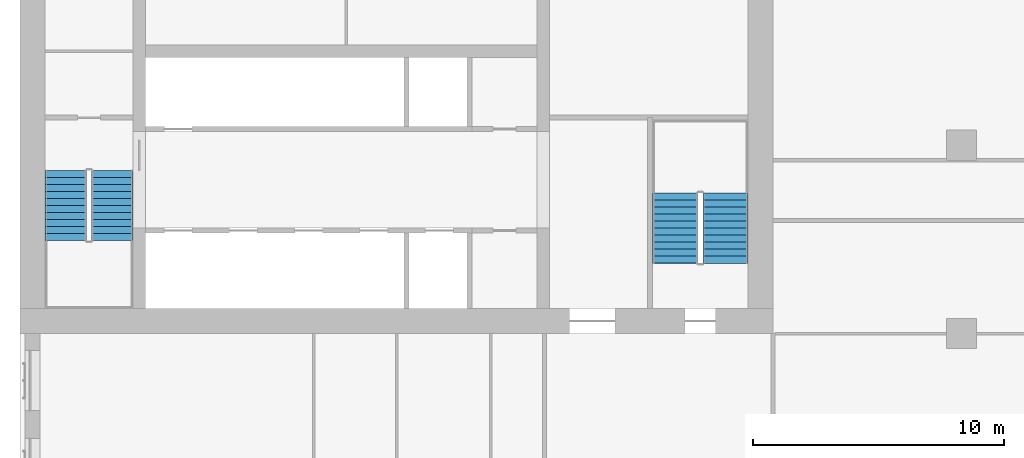
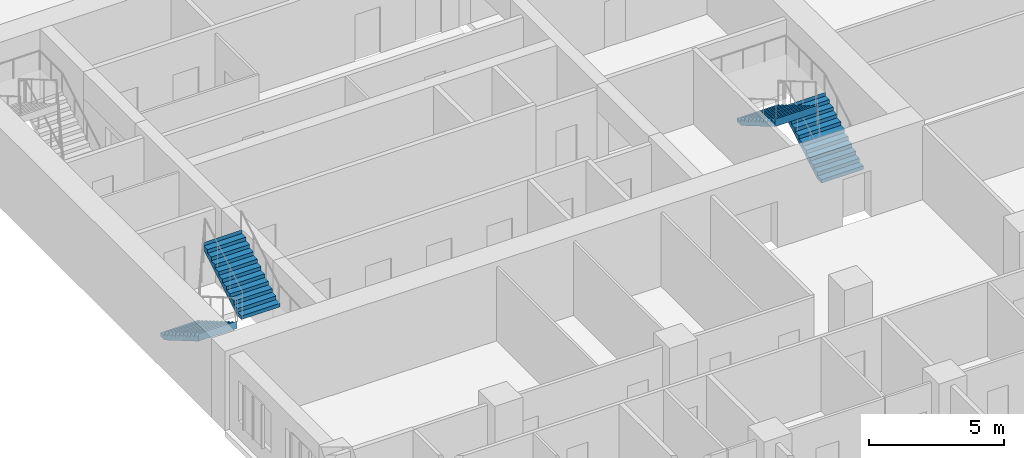
# One storey, part 12 of 14: 4 stair flights, 2 elements without a shape of their own.
"""IFC4 building model written with IfcOpenShell, lengths in metres."""

from ifc_helpers import new_model, si_unit, direction, frame, origin, place, context, subcontext, project, spatial, polyline, outline, extrude, material, type_object, element, aggregate, save


model = new_model("IFC4")

# Units and contexts
model_context = context("Model", 3, precision=1e-05, world=origin(), true_north=direction((0.0, 1.0)))
body_context = subcontext(model_context, "Body", "Model", "MODEL_VIEW")
ifc_project = project(units=[si_unit("LENGTHUNIT", "METRE"), si_unit("AREAUNIT", "SQUARE_METRE"), si_unit("VOLUMEUNIT", "CUBIC_METRE"), si_unit("PLANEANGLEUNIT", "RADIAN"), si_unit("MASSUNIT", "GRAM", prefix="KILO")], contexts=[model_context])

# Site, building, storey
site_placement = place(None, origin())
site = spatial("IfcSite", under=ifc_project, at=site_placement, CompositionType="ELEMENT")
building_placement = place(site_placement, origin())
building = spatial("IfcBuilding", under=site, at=building_placement, Name="Tamorin Gate", CompositionType="ELEMENT")
storey_placement = place(building_placement, frame((0.0, 0.0, 59.199951171875)))
storey = spatial("IfcBuildingStorey", under=building, at=storey_placement, Name="L13", CompositionType="ELEMENT", Elevation=59.199951171875)

# Stair, stair flights
ifc_material = material(Name="Concrete C40/50", Category="concrete")
stair_type = type_object("IfcStairType", Name="Exit stair", PredefinedType="HALF_TURN_STAIR", material=ifc_material)
stair_1_placement = place(storey_placement, origin())
stair_1 = element("IfcStair", 1, at=stair_1_placement, inside=storey, type_object=stair_type, Name="L13 stair ST1", PredefinedType="HALF_TURN_STAIR")
stair_flight_type = type_object("IfcStairFlightType", Name="Exit stair flight", PredefinedType="STRAIGHT", material=ifc_material)
stair_flight_1_placement = place(storey_placement, frame((31.824951171875, 66.5, 0.0), z_axis=(0.0, 0.0, 1.0), x_axis=(0.0, -1.0, 0.0)))
stair_flight_1 = element("IfcStairFlight", 2, at=stair_flight_1_placement, type_object=stair_flight_type, Name="ST1 flight 1", NumberOfRisers=11, NumberOfTreads=10, PredefinedType="STRAIGHT", RiserHeight=0.163636364, TreadLength=0.28, context=body_context, shape_type="SweptSolid", body=[
    extrude(outline(polyline([(-0.00048828125, 0.0), (-0.00048828125, 0.001708984375), (-0.00048828125, 0.003173828125), (-0.00048828125, 0.0048828125), (-0.00048828125, 0.006591796875), (-0.00048828125, 0.008056640625), (-0.00048828125, 0.009765625), (-0.00048828125, 0.01123046875), (-0.00048828125, 0.012939453125), (-0.00048828125, 0.0146484375), (-0.00048828125, 0.01611328125), (-0.00048828125, 0.017822265625), (-0.00048828125, 0.01953125), (-0.00048828125, 0.02099609375), (-0.00048828125, 0.022705078125), (-0.00048828125, 0.0244140625), (-0.00048828125, 0.02587890625), (-0.00048828125, 0.027587890625), (-0.00048828125, 0.029052734375), (-0.00048828125, 0.03076171875), (-0.00048828125, 0.032470703125), (-0.00048828125, 0.033935546875), (-0.00048828125, 0.03564453125), (-0.00048828125, 0.037353515625), (-0.00048828125, 0.038818359375), (-0.00048828125, 0.04052734375), (-0.00048828125, 0.042236328125), (-0.00048828125, 0.043701171875), (-0.00048828125, 0.04541015625), (-0.00048828125, 0.046875), (-0.00048828125, 0.048583984375), (-0.00048828125, 0.05029296875), (-0.00048828125, 0.0517578125), (-0.00048828125, 0.053466796875), (-0.00048828125, 0.05517578125), (-0.00048828125, 0.056640625), (-0.00048828125, 0.058349609375), (-0.00048828125, 0.06005859375), (-0.00048828125, 0.0615234375), (-0.00048828125, 0.063232421875), (-0.00048828125, 0.064697265625), (-0.00048828125, 0.06640625), (-0.00048828125, 0.068115234375), (-0.00048828125, 0.069580078125), (-0.00048828125, 0.0712890625), (-0.00048828125, 0.072998046875), (-0.00048828125, 0.074462890625), (-0.00048828125, 0.076171875), (-0.00048828125, 0.077880859375), (-0.00048828125, 0.079345703125), (-0.00048828125, 0.0810546875), (-0.00048828125, 0.08251953125), (-0.00048828125, 0.084228515625), (-0.00048828125, 0.0859375), (-0.00048828125, 0.08740234375), (-0.00048828125, 0.089111328125), (-0.00048828125, 0.0908203125), (-0.00048828125, 0.09228515625), (-0.00048828125, 0.093994140625), (-0.00048828125, 0.095703125), (-0.00048828125, 0.09716796875), (-0.00048828125, 0.098876953125), (-0.00048828125, 0.100341796875), (-0.00048828125, 0.10205078125), (-0.00048828125, 0.103759765625), (-0.00048828125, 0.105224609375), (-0.00048828125, 0.10693359375), (-0.00048828125, 0.108642578125), (-0.00048828125, 0.110107421875), (-0.00048828125, 0.11181640625), (-0.00048828125, 0.113525390625), (-0.00048828125, 0.114990234375), (-0.00048828125, 0.11669921875), (-0.00048828125, 0.1181640625), (-0.00048828125, 0.119873046875), (-0.00048828125, 0.12158203125), (-0.00048828125, 0.123046875), (-0.00048828125, 0.124755859375), (-0.00048828125, 0.12646484375), (-0.00048828125, 0.1279296875), (-0.00048828125, 0.129638671875), (-0.00048828125, 0.13134765625), (-0.00048828125, 0.1328125), (-0.00048828125, 0.134521484375), (-0.00048828125, 0.135986328125), (-0.00048828125, 0.1376953125), (-0.00048828125, 0.139404296875), (-0.00048828125, 0.140869140625), (-0.00048828125, 0.142578125), (-0.00048828125, 0.144287109375), (-0.00048828125, 0.145751953125), (-0.00048828125, 0.1474609375), (-0.00048828125, 0.149169921875), (-0.00048828125, 0.150634765625), (-0.00048828125, 0.15234375), (-0.00048828125, 0.15380859375), (-0.00048828125, 0.155517578125), (-0.00048828125, 0.1572265625), (-0.00048828125, 0.15869140625), (-0.00048828125, 0.160400390625), (-0.00048828125, 0.162109375), (-0.00048828125, 0.16357421875), (0.280029296875, 0.16357421875), (0.280029296875, 0.327392578125), (0.56005859375, 0.327392578125), (0.56005859375, 0.490966796875), (0.840087890625, 0.490966796875), (0.840087890625, 0.654541015625), (1.1201171875, 0.654541015625), (1.1201171875, 0.818115234375), (1.39990234375, 0.818115234375), (1.39990234375, 0.98193359375), (1.679931640625, 0.98193359375), (1.679931640625, 1.1455078125), (1.9599609375, 1.1455078125), (1.9599609375, 1.30908203125), (2.239990234375, 1.30908203125), (2.239990234375, 1.47265625), (2.52001953125, 1.47265625), (2.52001953125, 1.636474609375), (2.800048828125, 1.636474609375), (2.800048828125, 1.800048828125), (2.800537109375, 1.800048828125), (2.800537109375, 1.796630859375), (2.800537109375, 1.793212890625), (2.800537109375, 1.7900390625), (2.800537109375, 1.78662109375), (2.800537109375, 1.783203125), (2.800537109375, 1.780029296875), (2.800537109375, 1.776611328125), (2.800537109375, 1.773193359375), (2.800537109375, 1.77001953125), (2.800537109375, 1.7666015625), (2.800537109375, 1.76318359375), (2.800537109375, 1.760009765625), (2.800537109375, 1.756591796875), (2.800537109375, 1.753173828125), (2.800537109375, 1.75), (2.800537109375, 1.74658203125), (2.800537109375, 1.7431640625), (2.800537109375, 1.739990234375), (2.800537109375, 1.736572265625), (2.800537109375, 1.733154296875), (2.800537109375, 1.72998046875), (2.800537109375, 1.7265625), (2.800537109375, 1.72314453125), (2.800537109375, 1.719970703125), (2.800537109375, 1.716552734375), (2.800537109375, 1.713134765625), (2.800537109375, 1.7099609375), (2.800537109375, 1.70654296875), (2.800537109375, 1.703125), (2.800537109375, 1.69970703125), (2.800537109375, 1.696533203125), (2.800537109375, 1.693115234375), (2.800537109375, 1.689697265625), (2.800537109375, 1.6865234375), (2.800537109375, 1.68310546875), (2.800537109375, 1.6796875), (2.800537109375, 1.676513671875), (2.800537109375, 1.673095703125), (2.800537109375, 1.669677734375), (2.800537109375, 1.66650390625), (2.800537109375, 1.6630859375), (2.800537109375, 1.65966796875), (2.800537109375, 1.656494140625), (2.800537109375, 1.653076171875), (2.800537109375, 1.649658203125), (2.800537109375, 1.646484375), (2.800537109375, 1.64306640625), (2.800537109375, 1.6396484375), (2.800537109375, 1.636474609375), (2.800537109375, 1.633056640625), (2.800537109375, 1.629638671875), (2.800537109375, 1.62646484375), (2.800537109375, 1.623046875), (2.800537109375, 1.61962890625), (2.800537109375, 1.616455078125), (2.800537109375, 1.613037109375), (2.800537109375, 1.609619140625), (2.800537109375, 1.6064453125), (2.800537109375, 1.60302734375), (2.800537109375, 1.599609375), (2.800537109375, 1.59619140625), (2.800537109375, 1.593017578125), (2.800537109375, 1.589599609375), (2.800537109375, 1.586181640625), (2.800537109375, 1.5830078125), (2.800537109375, 1.57958984375), (2.800537109375, 1.576171875), (2.800537109375, 1.572998046875), (2.800537109375, 1.569580078125), (2.800537109375, 1.566162109375), (2.800537109375, 1.56298828125), (2.800537109375, 1.5595703125), (2.800537109375, 1.55615234375), (2.800537109375, 1.552978515625), (2.800537109375, 1.549560546875), (2.800537109375, 1.546142578125), (2.800537109375, 1.54296875), (2.800537109375, 1.53955078125), (2.800537109375, 1.5361328125), (2.800537109375, 1.532958984375), (2.800537109375, 1.529541015625), (2.800537109375, 1.526123046875), (2.800537109375, 1.52294921875), (2.800537109375, 1.51953125), (2.800537109375, 1.51611328125), (2.800537109375, 1.512939453125), (2.800537109375, 1.509521484375), (2.800537109375, 1.506103515625), (2.800537109375, 1.5029296875), (2.800537109375, 1.49951171875), (2.800537109375, 1.49609375), (2.800537109375, 1.49267578125), (2.800537109375, 1.489501953125), (2.800537109375, 1.486083984375), (2.800537109375, 1.482666015625), (2.800537109375, 1.4794921875), (2.800537109375, 1.47607421875), (2.800537109375, 1.47265625), (2.800537109375, 1.469482421875), (2.800537109375, 1.466064453125), (2.800537109375, 1.462646484375), (2.800048828125, 1.462646484375), (0.297119140625, 0.0), (-0.00048828125, 0.0)])), frame((0.0, 0.824951171875, 0.0), z_axis=(0.0, -1.0, 0.0), x_axis=(1.0, 0.0, 0.0)), (0.0, 0.0, 1.0), 1.64990234375),
])
stair_flight_2_placement = place(storey_placement, frame((33.675048828125, 63.699951171875, 1.800048828125), z_axis=(0.0, 0.0, 1.0), x_axis=(0.0, 1.0, 0.0)))
stair_flight_2 = element("IfcStairFlight", 3, at=stair_flight_2_placement, type_object=stair_flight_type, Name="ST1 flight 2", NumberOfRisers=11, NumberOfTreads=10, PredefinedType="STRAIGHT", RiserHeight=0.163636364, TreadLength=0.28, context=body_context, shape_type="SweptSolid", body=[
    extrude(outline(polyline([(-0.00048828125, 0.0), (-0.00048828125, 0.001708984375), (-0.00048828125, 0.003173828125), (-0.00048828125, 0.0048828125), (-0.00048828125, 0.006591796875), (-0.00048828125, 0.008056640625), (-0.00048828125, 0.009765625), (-0.00048828125, 0.01123046875), (-0.00048828125, 0.012939453125), (-0.00048828125, 0.0146484375), (-0.00048828125, 0.01611328125), (-0.00048828125, 0.017822265625), (-0.00048828125, 0.01953125), (-0.00048828125, 0.02099609375), (-0.00048828125, 0.022705078125), (-0.00048828125, 0.0244140625), (-0.00048828125, 0.02587890625), (-0.00048828125, 0.027587890625), (-0.00048828125, 0.029052734375), (-0.00048828125, 0.03076171875), (-0.00048828125, 0.032470703125), (-0.00048828125, 0.033935546875), (-0.00048828125, 0.03564453125), (-0.00048828125, 0.037353515625), (-0.00048828125, 0.038818359375), (-0.00048828125, 0.04052734375), (-0.00048828125, 0.042236328125), (-0.00048828125, 0.043701171875), (-0.00048828125, 0.04541015625), (-0.00048828125, 0.046875), (-0.00048828125, 0.048583984375), (-0.00048828125, 0.05029296875), (-0.00048828125, 0.0517578125), (-0.00048828125, 0.053466796875), (-0.00048828125, 0.05517578125), (-0.00048828125, 0.056640625), (-0.00048828125, 0.058349609375), (-0.00048828125, 0.06005859375), (-0.00048828125, 0.0615234375), (-0.00048828125, 0.063232421875), (-0.00048828125, 0.064697265625), (-0.00048828125, 0.06640625), (-0.00048828125, 0.068115234375), (-0.00048828125, 0.069580078125), (-0.00048828125, 0.0712890625), (-0.00048828125, 0.072998046875), (-0.00048828125, 0.074462890625), (-0.00048828125, 0.076171875), (-0.00048828125, 0.077880859375), (-0.00048828125, 0.079345703125), (-0.00048828125, 0.0810546875), (-0.00048828125, 0.08251953125), (-0.00048828125, 0.084228515625), (-0.00048828125, 0.0859375), (-0.00048828125, 0.08740234375), (-0.00048828125, 0.089111328125), (-0.00048828125, 0.0908203125), (-0.00048828125, 0.09228515625), (-0.00048828125, 0.093994140625), (-0.00048828125, 0.095703125), (-0.00048828125, 0.09716796875), (-0.00048828125, 0.098876953125), (-0.00048828125, 0.100341796875), (-0.00048828125, 0.10205078125), (-0.00048828125, 0.103759765625), (-0.00048828125, 0.105224609375), (-0.00048828125, 0.10693359375), (-0.00048828125, 0.108642578125), (-0.00048828125, 0.110107421875), (-0.00048828125, 0.11181640625), (-0.00048828125, 0.113525390625), (-0.00048828125, 0.114990234375), (-0.00048828125, 0.11669921875), (-0.00048828125, 0.1181640625), (-0.00048828125, 0.119873046875), (-0.00048828125, 0.12158203125), (-0.00048828125, 0.123046875), (-0.00048828125, 0.124755859375), (-0.00048828125, 0.12646484375), (-0.00048828125, 0.1279296875), (-0.00048828125, 0.129638671875), (-0.00048828125, 0.13134765625), (-0.00048828125, 0.1328125), (-0.00048828125, 0.134521484375), (-0.00048828125, 0.135986328125), (-0.00048828125, 0.1376953125), (-0.00048828125, 0.139404296875), (-0.00048828125, 0.140869140625), (-0.00048828125, 0.142578125), (-0.00048828125, 0.144287109375), (-0.00048828125, 0.145751953125), (-0.00048828125, 0.1474609375), (-0.00048828125, 0.149169921875), (-0.00048828125, 0.150634765625), (-0.00048828125, 0.15234375), (-0.00048828125, 0.15380859375), (-0.00048828125, 0.155517578125), (-0.00048828125, 0.1572265625), (-0.00048828125, 0.15869140625), (-0.00048828125, 0.160400390625), (-0.00048828125, 0.162109375), (-0.00048828125, 0.16357421875), (0.280029296875, 0.16357421875), (0.280029296875, 0.327392578125), (0.56005859375, 0.327392578125), (0.56005859375, 0.490966796875), (0.840087890625, 0.490966796875), (0.840087890625, 0.654541015625), (1.1201171875, 0.654541015625), (1.1201171875, 0.818115234375), (1.39990234375, 0.818115234375), (1.39990234375, 0.98193359375), (1.679931640625, 0.98193359375), (1.679931640625, 1.1455078125), (1.9599609375, 1.1455078125), (1.9599609375, 1.30908203125), (2.239990234375, 1.30908203125), (2.239990234375, 1.47265625), (2.52001953125, 1.47265625), (2.52001953125, 1.636474609375), (2.800048828125, 1.636474609375), (2.800048828125, 1.800048828125), (2.800537109375, 1.800048828125), (2.800537109375, 1.796630859375), (2.800537109375, 1.793212890625), (2.800537109375, 1.7900390625), (2.800537109375, 1.78662109375), (2.800537109375, 1.783203125), (2.800537109375, 1.780029296875), (2.800537109375, 1.776611328125), (2.800537109375, 1.773193359375), (2.800537109375, 1.77001953125), (2.800537109375, 1.7666015625), (2.800537109375, 1.76318359375), (2.800537109375, 1.760009765625), (2.800537109375, 1.756591796875), (2.800537109375, 1.753173828125), (2.800537109375, 1.75), (2.800537109375, 1.74658203125), (2.800537109375, 1.7431640625), (2.800537109375, 1.739990234375), (2.800537109375, 1.736572265625), (2.800537109375, 1.733154296875), (2.800537109375, 1.72998046875), (2.800537109375, 1.7265625), (2.800537109375, 1.72314453125), (2.800537109375, 1.719970703125), (2.800537109375, 1.716552734375), (2.800537109375, 1.713134765625), (2.800537109375, 1.7099609375), (2.800537109375, 1.70654296875), (2.800537109375, 1.703125), (2.800537109375, 1.69970703125), (2.800537109375, 1.696533203125), (2.800537109375, 1.693115234375), (2.800537109375, 1.689697265625), (2.800537109375, 1.6865234375), (2.800537109375, 1.68310546875), (2.800537109375, 1.6796875), (2.800537109375, 1.676513671875), (2.800537109375, 1.673095703125), (2.800537109375, 1.669677734375), (2.800537109375, 1.66650390625), (2.800537109375, 1.6630859375), (2.800537109375, 1.65966796875), (2.800537109375, 1.656494140625), (2.800537109375, 1.653076171875), (2.800537109375, 1.649658203125), (2.800537109375, 1.646484375), (2.800537109375, 1.64306640625), (2.800537109375, 1.6396484375), (2.800537109375, 1.636474609375), (2.800537109375, 1.633056640625), (2.800537109375, 1.629638671875), (2.800537109375, 1.62646484375), (2.800537109375, 1.623046875), (2.800537109375, 1.61962890625), (2.800537109375, 1.616455078125), (2.800537109375, 1.613037109375), (2.800537109375, 1.609619140625), (2.800537109375, 1.6064453125), (2.800537109375, 1.60302734375), (2.800537109375, 1.599609375), (2.800537109375, 1.59619140625), (2.800537109375, 1.593017578125), (2.800537109375, 1.589599609375), (2.800537109375, 1.586181640625), (2.800537109375, 1.5830078125), (2.800537109375, 1.57958984375), (2.800537109375, 1.576171875), (2.800537109375, 1.572998046875), (2.800537109375, 1.569580078125), (2.800537109375, 1.566162109375), (2.800537109375, 1.56298828125), (2.800537109375, 1.5595703125), (2.800537109375, 1.55615234375), (2.800537109375, 1.552978515625), (2.800537109375, 1.549560546875), (2.800537109375, 1.546142578125), (2.800537109375, 1.54296875), (2.800537109375, 1.53955078125), (2.800537109375, 1.5361328125), (2.800537109375, 1.532958984375), (2.800537109375, 1.529541015625), (2.800537109375, 1.526123046875), (2.800537109375, 1.52294921875), (2.800537109375, 1.51953125), (2.800537109375, 1.51611328125), (2.800537109375, 1.512939453125), (2.800537109375, 1.509521484375), (2.800537109375, 1.506103515625), (2.800537109375, 1.5029296875), (2.800537109375, 1.49951171875), (2.800537109375, 1.49609375), (2.800537109375, 1.49267578125), (2.800537109375, 1.489501953125), (2.800537109375, 1.486083984375), (2.800537109375, 1.482666015625), (2.800537109375, 1.4794921875), (2.800537109375, 1.47607421875), (2.800537109375, 1.47265625), (2.800537109375, 1.469482421875), (2.800537109375, 1.466064453125), (2.800537109375, 1.462646484375), (2.800048828125, 1.462646484375), (0.297119140625, 0.0), (-0.00048828125, 0.0)])), frame((0.0, 0.824951171875, 0.0), z_axis=(0.0, -1.0, 0.0), x_axis=(1.0, 0.0, 0.0)), (0.0, 0.0, 1.0), 1.64990234375),
])
aggregate(stair_1, [stair_flight_1, stair_flight_2])

stair_2_placement = place(storey_placement, origin())
stair_2 = element("IfcStair", 4, at=stair_2_placement, inside=storey, type_object=stair_type, Name="L13 stair ST3", PredefinedType="HALF_TURN_STAIR")
stair_flight_3_placement = place(storey_placement, frame((58.10009765625, 62.800048828125, 0.0), z_axis=(0.0, 0.0, 1.0), x_axis=(0.0, 1.0, 0.0)))
stair_flight_3 = element("IfcStairFlight", 5, at=stair_flight_3_placement, type_object=stair_flight_type, Name="ST3 flight 1", NumberOfRisers=11, NumberOfTreads=10, PredefinedType="STRAIGHT", RiserHeight=0.163636364, TreadLength=0.28, context=body_context, shape_type="SweptSolid", body=[
    extrude(outline(polyline([(-0.00048828125, 0.0), (-0.00048828125, 0.001708984375), (-0.00048828125, 0.003173828125), (-0.00048828125, 0.0048828125), (-0.00048828125, 0.006591796875), (-0.00048828125, 0.008056640625), (-0.00048828125, 0.009765625), (-0.00048828125, 0.01123046875), (-0.00048828125, 0.012939453125), (-0.00048828125, 0.0146484375), (-0.00048828125, 0.01611328125), (-0.00048828125, 0.017822265625), (-0.00048828125, 0.01953125), (-0.00048828125, 0.02099609375), (-0.00048828125, 0.022705078125), (-0.00048828125, 0.0244140625), (-0.00048828125, 0.02587890625), (-0.00048828125, 0.027587890625), (-0.00048828125, 0.029052734375), (-0.00048828125, 0.03076171875), (-0.00048828125, 0.032470703125), (-0.00048828125, 0.033935546875), (-0.00048828125, 0.03564453125), (-0.00048828125, 0.037353515625), (-0.00048828125, 0.038818359375), (-0.00048828125, 0.04052734375), (-0.00048828125, 0.042236328125), (-0.00048828125, 0.043701171875), (-0.00048828125, 0.04541015625), (-0.00048828125, 0.046875), (-0.00048828125, 0.048583984375), (-0.00048828125, 0.05029296875), (-0.00048828125, 0.0517578125), (-0.00048828125, 0.053466796875), (-0.00048828125, 0.05517578125), (-0.00048828125, 0.056640625), (-0.00048828125, 0.058349609375), (-0.00048828125, 0.06005859375), (-0.00048828125, 0.0615234375), (-0.00048828125, 0.063232421875), (-0.00048828125, 0.064697265625), (-0.00048828125, 0.06640625), (-0.00048828125, 0.068115234375), (-0.00048828125, 0.069580078125), (-0.00048828125, 0.0712890625), (-0.00048828125, 0.072998046875), (-0.00048828125, 0.074462890625), (-0.00048828125, 0.076171875), (-0.00048828125, 0.077880859375), (-0.00048828125, 0.079345703125), (-0.00048828125, 0.0810546875), (-0.00048828125, 0.08251953125), (-0.00048828125, 0.084228515625), (-0.00048828125, 0.0859375), (-0.00048828125, 0.08740234375), (-0.00048828125, 0.089111328125), (-0.00048828125, 0.0908203125), (-0.00048828125, 0.09228515625), (-0.00048828125, 0.093994140625), (-0.00048828125, 0.095703125), (-0.00048828125, 0.09716796875), (-0.00048828125, 0.098876953125), (-0.00048828125, 0.100341796875), (-0.00048828125, 0.10205078125), (-0.00048828125, 0.103759765625), (-0.00048828125, 0.105224609375), (-0.00048828125, 0.10693359375), (-0.00048828125, 0.108642578125), (-0.00048828125, 0.110107421875), (-0.00048828125, 0.11181640625), (-0.00048828125, 0.113525390625), (-0.00048828125, 0.114990234375), (-0.00048828125, 0.11669921875), (-0.00048828125, 0.1181640625), (-0.00048828125, 0.119873046875), (-0.00048828125, 0.12158203125), (-0.00048828125, 0.123046875), (-0.00048828125, 0.124755859375), (-0.00048828125, 0.12646484375), (-0.00048828125, 0.1279296875), (-0.00048828125, 0.129638671875), (-0.00048828125, 0.13134765625), (-0.00048828125, 0.1328125), (-0.00048828125, 0.134521484375), (-0.00048828125, 0.135986328125), (-0.00048828125, 0.1376953125), (-0.00048828125, 0.139404296875), (-0.00048828125, 0.140869140625), (-0.00048828125, 0.142578125), (-0.00048828125, 0.144287109375), (-0.00048828125, 0.145751953125), (-0.00048828125, 0.1474609375), (-0.00048828125, 0.149169921875), (-0.00048828125, 0.150634765625), (-0.00048828125, 0.15234375), (-0.00048828125, 0.15380859375), (-0.00048828125, 0.155517578125), (-0.00048828125, 0.1572265625), (-0.00048828125, 0.15869140625), (-0.00048828125, 0.160400390625), (-0.00048828125, 0.162109375), (-0.00048828125, 0.16357421875), (0.280029296875, 0.16357421875), (0.280029296875, 0.327392578125), (0.56005859375, 0.327392578125), (0.56005859375, 0.490966796875), (0.840087890625, 0.490966796875), (0.840087890625, 0.654541015625), (1.1201171875, 0.654541015625), (1.1201171875, 0.818115234375), (1.39990234375, 0.818115234375), (1.39990234375, 0.98193359375), (1.679931640625, 0.98193359375), (1.679931640625, 1.1455078125), (1.9599609375, 1.1455078125), (1.9599609375, 1.30908203125), (2.239990234375, 1.30908203125), (2.239990234375, 1.47265625), (2.52001953125, 1.47265625), (2.52001953125, 1.636474609375), (2.800048828125, 1.636474609375), (2.800048828125, 1.800048828125), (2.800537109375, 1.800048828125), (2.800537109375, 1.796630859375), (2.800537109375, 1.793212890625), (2.800537109375, 1.7900390625), (2.800537109375, 1.78662109375), (2.800537109375, 1.783203125), (2.800537109375, 1.780029296875), (2.800537109375, 1.776611328125), (2.800537109375, 1.773193359375), (2.800537109375, 1.77001953125), (2.800537109375, 1.7666015625), (2.800537109375, 1.76318359375), (2.800537109375, 1.760009765625), (2.800537109375, 1.756591796875), (2.800537109375, 1.753173828125), (2.800537109375, 1.75), (2.800537109375, 1.74658203125), (2.800537109375, 1.7431640625), (2.800537109375, 1.739990234375), (2.800537109375, 1.736572265625), (2.800537109375, 1.733154296875), (2.800537109375, 1.72998046875), (2.800537109375, 1.7265625), (2.800537109375, 1.72314453125), (2.800537109375, 1.719970703125), (2.800537109375, 1.716552734375), (2.800537109375, 1.713134765625), (2.800537109375, 1.7099609375), (2.800537109375, 1.70654296875), (2.800537109375, 1.703125), (2.800537109375, 1.69970703125), (2.800537109375, 1.696533203125), (2.800537109375, 1.693115234375), (2.800537109375, 1.689697265625), (2.800537109375, 1.6865234375), (2.800537109375, 1.68310546875), (2.800537109375, 1.6796875), (2.800537109375, 1.676513671875), (2.800537109375, 1.673095703125), (2.800537109375, 1.669677734375), (2.800537109375, 1.66650390625), (2.800537109375, 1.6630859375), (2.800537109375, 1.65966796875), (2.800537109375, 1.656494140625), (2.800537109375, 1.653076171875), (2.800537109375, 1.649658203125), (2.800537109375, 1.646484375), (2.800537109375, 1.64306640625), (2.800537109375, 1.6396484375), (2.800537109375, 1.636474609375), (2.800537109375, 1.633056640625), (2.800537109375, 1.629638671875), (2.800537109375, 1.62646484375), (2.800537109375, 1.623046875), (2.800537109375, 1.61962890625), (2.800537109375, 1.616455078125), (2.800537109375, 1.613037109375), (2.800537109375, 1.609619140625), (2.800537109375, 1.6064453125), (2.800537109375, 1.60302734375), (2.800537109375, 1.599609375), (2.800537109375, 1.59619140625), (2.800537109375, 1.593017578125), (2.800537109375, 1.589599609375), (2.800537109375, 1.586181640625), (2.800537109375, 1.5830078125), (2.800537109375, 1.57958984375), (2.800537109375, 1.576171875), (2.800537109375, 1.572998046875), (2.800537109375, 1.569580078125), (2.800537109375, 1.566162109375), (2.800537109375, 1.56298828125), (2.800537109375, 1.5595703125), (2.800537109375, 1.55615234375), (2.800537109375, 1.552978515625), (2.800537109375, 1.549560546875), (2.800537109375, 1.546142578125), (2.800537109375, 1.54296875), (2.800537109375, 1.53955078125), (2.800537109375, 1.5361328125), (2.800537109375, 1.532958984375), (2.800537109375, 1.529541015625), (2.800537109375, 1.526123046875), (2.800537109375, 1.52294921875), (2.800537109375, 1.51953125), (2.800537109375, 1.51611328125), (2.800537109375, 1.512939453125), (2.800537109375, 1.509521484375), (2.800537109375, 1.506103515625), (2.800537109375, 1.5029296875), (2.800537109375, 1.49951171875), (2.800537109375, 1.49609375), (2.800537109375, 1.49267578125), (2.800537109375, 1.489501953125), (2.800537109375, 1.486083984375), (2.800537109375, 1.482666015625), (2.800537109375, 1.4794921875), (2.800537109375, 1.47607421875), (2.800537109375, 1.47265625), (2.800537109375, 1.469482421875), (2.800537109375, 1.466064453125), (2.800537109375, 1.462646484375), (2.800048828125, 1.462646484375), (0.297119140625, 0.0), (-0.00048828125, 0.0)])), frame((0.0, 0.89990234375, 0.0), z_axis=(0.0, -1.0, 0.0), x_axis=(1.0, 0.0, 0.0)), (0.0, 0.0, 1.0), 1.800048828125),
])
stair_flight_4_placement = place(storey_placement, frame((56.10009765625, 65.60009765625, 1.800048828125), z_axis=(0.0, 0.0, 1.0), x_axis=(0.0, -1.0, 0.0)))
stair_flight_4 = element("IfcStairFlight", 6, at=stair_flight_4_placement, type_object=stair_flight_type, Name="ST3 flight 2", NumberOfRisers=11, NumberOfTreads=10, PredefinedType="STRAIGHT", RiserHeight=0.163636364, TreadLength=0.28, context=body_context, shape_type="SweptSolid", body=[
    extrude(outline(polyline([(-0.00048828125, 0.0), (-0.00048828125, 0.001708984375), (-0.00048828125, 0.003173828125), (-0.00048828125, 0.0048828125), (-0.00048828125, 0.006591796875), (-0.00048828125, 0.008056640625), (-0.00048828125, 0.009765625), (-0.00048828125, 0.01123046875), (-0.00048828125, 0.012939453125), (-0.00048828125, 0.0146484375), (-0.00048828125, 0.01611328125), (-0.00048828125, 0.017822265625), (-0.00048828125, 0.01953125), (-0.00048828125, 0.02099609375), (-0.00048828125, 0.022705078125), (-0.00048828125, 0.0244140625), (-0.00048828125, 0.02587890625), (-0.00048828125, 0.027587890625), (-0.00048828125, 0.029052734375), (-0.00048828125, 0.03076171875), (-0.00048828125, 0.032470703125), (-0.00048828125, 0.033935546875), (-0.00048828125, 0.03564453125), (-0.00048828125, 0.037353515625), (-0.00048828125, 0.038818359375), (-0.00048828125, 0.04052734375), (-0.00048828125, 0.042236328125), (-0.00048828125, 0.043701171875), (-0.00048828125, 0.04541015625), (-0.00048828125, 0.046875), (-0.00048828125, 0.048583984375), (-0.00048828125, 0.05029296875), (-0.00048828125, 0.0517578125), (-0.00048828125, 0.053466796875), (-0.00048828125, 0.05517578125), (-0.00048828125, 0.056640625), (-0.00048828125, 0.058349609375), (-0.00048828125, 0.06005859375), (-0.00048828125, 0.0615234375), (-0.00048828125, 0.063232421875), (-0.00048828125, 0.064697265625), (-0.00048828125, 0.06640625), (-0.00048828125, 0.068115234375), (-0.00048828125, 0.069580078125), (-0.00048828125, 0.0712890625), (-0.00048828125, 0.072998046875), (-0.00048828125, 0.074462890625), (-0.00048828125, 0.076171875), (-0.00048828125, 0.077880859375), (-0.00048828125, 0.079345703125), (-0.00048828125, 0.0810546875), (-0.00048828125, 0.08251953125), (-0.00048828125, 0.084228515625), (-0.00048828125, 0.0859375), (-0.00048828125, 0.08740234375), (-0.00048828125, 0.089111328125), (-0.00048828125, 0.0908203125), (-0.00048828125, 0.09228515625), (-0.00048828125, 0.093994140625), (-0.00048828125, 0.095703125), (-0.00048828125, 0.09716796875), (-0.00048828125, 0.098876953125), (-0.00048828125, 0.100341796875), (-0.00048828125, 0.10205078125), (-0.00048828125, 0.103759765625), (-0.00048828125, 0.105224609375), (-0.00048828125, 0.10693359375), (-0.00048828125, 0.108642578125), (-0.00048828125, 0.110107421875), (-0.00048828125, 0.11181640625), (-0.00048828125, 0.113525390625), (-0.00048828125, 0.114990234375), (-0.00048828125, 0.11669921875), (-0.00048828125, 0.1181640625), (-0.00048828125, 0.119873046875), (-0.00048828125, 0.12158203125), (-0.00048828125, 0.123046875), (-0.00048828125, 0.124755859375), (-0.00048828125, 0.12646484375), (-0.00048828125, 0.1279296875), (-0.00048828125, 0.129638671875), (-0.00048828125, 0.13134765625), (-0.00048828125, 0.1328125), (-0.00048828125, 0.134521484375), (-0.00048828125, 0.135986328125), (-0.00048828125, 0.1376953125), (-0.00048828125, 0.139404296875), (-0.00048828125, 0.140869140625), (-0.00048828125, 0.142578125), (-0.00048828125, 0.144287109375), (-0.00048828125, 0.145751953125), (-0.00048828125, 0.1474609375), (-0.00048828125, 0.149169921875), (-0.00048828125, 0.150634765625), (-0.00048828125, 0.15234375), (-0.00048828125, 0.15380859375), (-0.00048828125, 0.155517578125), (-0.00048828125, 0.1572265625), (-0.00048828125, 0.15869140625), (-0.00048828125, 0.160400390625), (-0.00048828125, 0.162109375), (-0.00048828125, 0.16357421875), (0.280029296875, 0.16357421875), (0.280029296875, 0.327392578125), (0.56005859375, 0.327392578125), (0.56005859375, 0.490966796875), (0.840087890625, 0.490966796875), (0.840087890625, 0.654541015625), (1.1201171875, 0.654541015625), (1.1201171875, 0.818115234375), (1.39990234375, 0.818115234375), (1.39990234375, 0.98193359375), (1.679931640625, 0.98193359375), (1.679931640625, 1.1455078125), (1.9599609375, 1.1455078125), (1.9599609375, 1.30908203125), (2.239990234375, 1.30908203125), (2.239990234375, 1.47265625), (2.52001953125, 1.47265625), (2.52001953125, 1.636474609375), (2.800048828125, 1.636474609375), (2.800048828125, 1.800048828125), (2.800537109375, 1.800048828125), (2.800537109375, 1.796630859375), (2.800537109375, 1.793212890625), (2.800537109375, 1.7900390625), (2.800537109375, 1.78662109375), (2.800537109375, 1.783203125), (2.800537109375, 1.780029296875), (2.800537109375, 1.776611328125), (2.800537109375, 1.773193359375), (2.800537109375, 1.77001953125), (2.800537109375, 1.7666015625), (2.800537109375, 1.76318359375), (2.800537109375, 1.760009765625), (2.800537109375, 1.756591796875), (2.800537109375, 1.753173828125), (2.800537109375, 1.75), (2.800537109375, 1.74658203125), (2.800537109375, 1.7431640625), (2.800537109375, 1.739990234375), (2.800537109375, 1.736572265625), (2.800537109375, 1.733154296875), (2.800537109375, 1.72998046875), (2.800537109375, 1.7265625), (2.800537109375, 1.72314453125), (2.800537109375, 1.719970703125), (2.800537109375, 1.716552734375), (2.800537109375, 1.713134765625), (2.800537109375, 1.7099609375), (2.800537109375, 1.70654296875), (2.800537109375, 1.703125), (2.800537109375, 1.69970703125), (2.800537109375, 1.696533203125), (2.800537109375, 1.693115234375), (2.800537109375, 1.689697265625), (2.800537109375, 1.6865234375), (2.800537109375, 1.68310546875), (2.800537109375, 1.6796875), (2.800537109375, 1.676513671875), (2.800537109375, 1.673095703125), (2.800537109375, 1.669677734375), (2.800537109375, 1.66650390625), (2.800537109375, 1.6630859375), (2.800537109375, 1.65966796875), (2.800537109375, 1.656494140625), (2.800537109375, 1.653076171875), (2.800537109375, 1.649658203125), (2.800537109375, 1.646484375), (2.800537109375, 1.64306640625), (2.800537109375, 1.6396484375), (2.800537109375, 1.636474609375), (2.800537109375, 1.633056640625), (2.800537109375, 1.629638671875), (2.800537109375, 1.62646484375), (2.800537109375, 1.623046875), (2.800537109375, 1.61962890625), (2.800537109375, 1.616455078125), (2.800537109375, 1.613037109375), (2.800537109375, 1.609619140625), (2.800537109375, 1.6064453125), (2.800537109375, 1.60302734375), (2.800537109375, 1.599609375), (2.800537109375, 1.59619140625), (2.800537109375, 1.593017578125), (2.800537109375, 1.589599609375), (2.800537109375, 1.586181640625), (2.800537109375, 1.5830078125), (2.800537109375, 1.57958984375), (2.800537109375, 1.576171875), (2.800537109375, 1.572998046875), (2.800537109375, 1.569580078125), (2.800537109375, 1.566162109375), (2.800537109375, 1.56298828125), (2.800537109375, 1.5595703125), (2.800537109375, 1.55615234375), (2.800537109375, 1.552978515625), (2.800537109375, 1.549560546875), (2.800537109375, 1.546142578125), (2.800537109375, 1.54296875), (2.800537109375, 1.53955078125), (2.800537109375, 1.5361328125), (2.800537109375, 1.532958984375), (2.800537109375, 1.529541015625), (2.800537109375, 1.526123046875), (2.800537109375, 1.52294921875), (2.800537109375, 1.51953125), (2.800537109375, 1.51611328125), (2.800537109375, 1.512939453125), (2.800537109375, 1.509521484375), (2.800537109375, 1.506103515625), (2.800537109375, 1.5029296875), (2.800537109375, 1.49951171875), (2.800537109375, 1.49609375), (2.800537109375, 1.49267578125), (2.800537109375, 1.489501953125), (2.800537109375, 1.486083984375), (2.800537109375, 1.482666015625), (2.800537109375, 1.4794921875), (2.800537109375, 1.47607421875), (2.800537109375, 1.47265625), (2.800537109375, 1.469482421875), (2.800537109375, 1.466064453125), (2.800537109375, 1.462646484375), (2.800048828125, 1.462646484375), (0.297119140625, 0.0), (-0.00048828125, 0.0)])), frame((0.0, 0.89990234375, 0.0), z_axis=(0.0, -1.0, 0.0), x_axis=(1.0, 0.0, 0.0)), (0.0, 0.0, 1.0), 1.800048828125),
])
aggregate(stair_2, [stair_flight_3, stair_flight_4])

save(model, "model.ifc")
